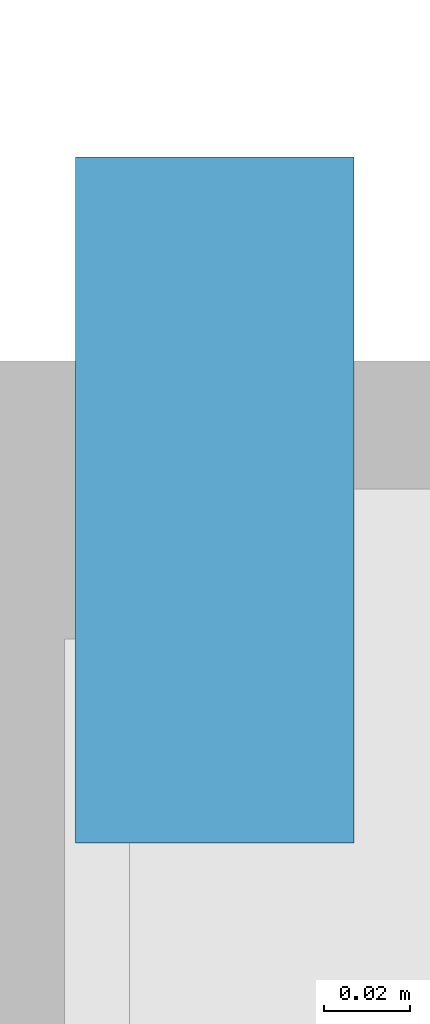
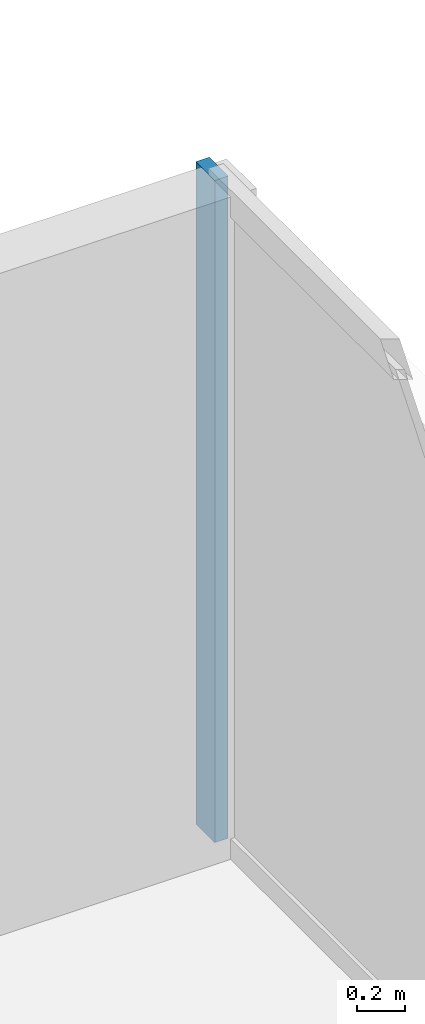
# One storey, part 6 of 14: 1 member, 1 element without a shape of its own.
"""IFC4 building model written with IfcOpenShell, lengths in metres."""

from ifc_helpers import new_model, si_unit, direction, frame, origin, origin_2d, place, context, subcontext, project, spatial, rectangle, extrude, material, layer, layer_set, material_profile, profile_set, type_object, element, aggregate, save


model = new_model("IFC4")

# Units and contexts
model_context = context("Model", 3, precision=1e-05, world=origin(), true_north=direction((0.0, 1.0)))
body_context = subcontext(model_context, "Body", "Model", "MODEL_VIEW")
ifc_project = project(units=[si_unit("LENGTHUNIT", "METRE"), si_unit("AREAUNIT", "SQUARE_METRE"), si_unit("VOLUMEUNIT", "CUBIC_METRE"), si_unit("PLANEANGLEUNIT", "RADIAN"), si_unit("MASSUNIT", "GRAM", prefix="KILO")], contexts=[model_context])

# Site, building, storey
site_placement = place(None, origin())
site = spatial("IfcSite", under=ifc_project, at=site_placement, CompositionType="ELEMENT")
building_placement = place(site_placement, origin())
building = spatial("IfcBuilding", under=site, at=building_placement, Name="Kinhvarn Gate Tower", CompositionType="ELEMENT")
storey_placement = place(building_placement, frame((0.0, 0.0, 277.64990234375)))
storey = spatial("IfcBuildingStorey", under=building, at=storey_placement, Name="L74", CompositionType="ELEMENT", Elevation=277.64990234375)

# Curtain wall, member
ifc_material = material(Name="Anodised aluminium AW-6063", Category="aluminium")
ifc_layer = layer(ifc_material, 0.179931640625)
ifc_layer_set = layer_set([ifc_layer], Name="Anodised aluminium AW-6063")
curtain_wall_type = type_object("IfcCurtainWallType", Name="CW-SYS-3", PredefinedType="NOTDEFINED", material=ifc_layer_set)
curtain_wall_placement = place(storey_placement, origin())
curtain_wall = element("IfcCurtainWall", 1, at=curtain_wall_placement, inside=storey, type_object=curtain_wall_type, Name="Curtain Wall CW3 (L74)", PredefinedType="NOTDEFINED")
ifc_material_profile = material_profile(ifc_material, rectangle(XDim=0.06494140625, YDim=0.159912109375, at=origin_2d()), Name="ALU 65x160")
ifc_profile_set = profile_set([ifc_material_profile], Name="Anodised aluminium AW-6063")
member_type = type_object("IfcMemberType", Name="CW-MUL-160", PredefinedType="MULLION", material=ifc_profile_set)
member_placement = place(storey_placement, frame((44.409912109375, 39.367431640625, 0.0), z_axis=(0.0, 0.0, 1.0), x_axis=(-1.0, 0.0, 0.0)))
member = element("IfcMember", 2, at=member_placement, type_object=member_type, Name="CW3 mullion 7", PredefinedType="MULLION", context=body_context, shape_type="SweptSolid", body=[
    extrude(rectangle(XDim=0.06494140625, YDim=0.159912109375, at=origin_2d()), origin(), (0.0, 0.0, 1.0), 3.39013671875),
])
aggregate(curtain_wall, [member])

save(model, "model.ifc")
